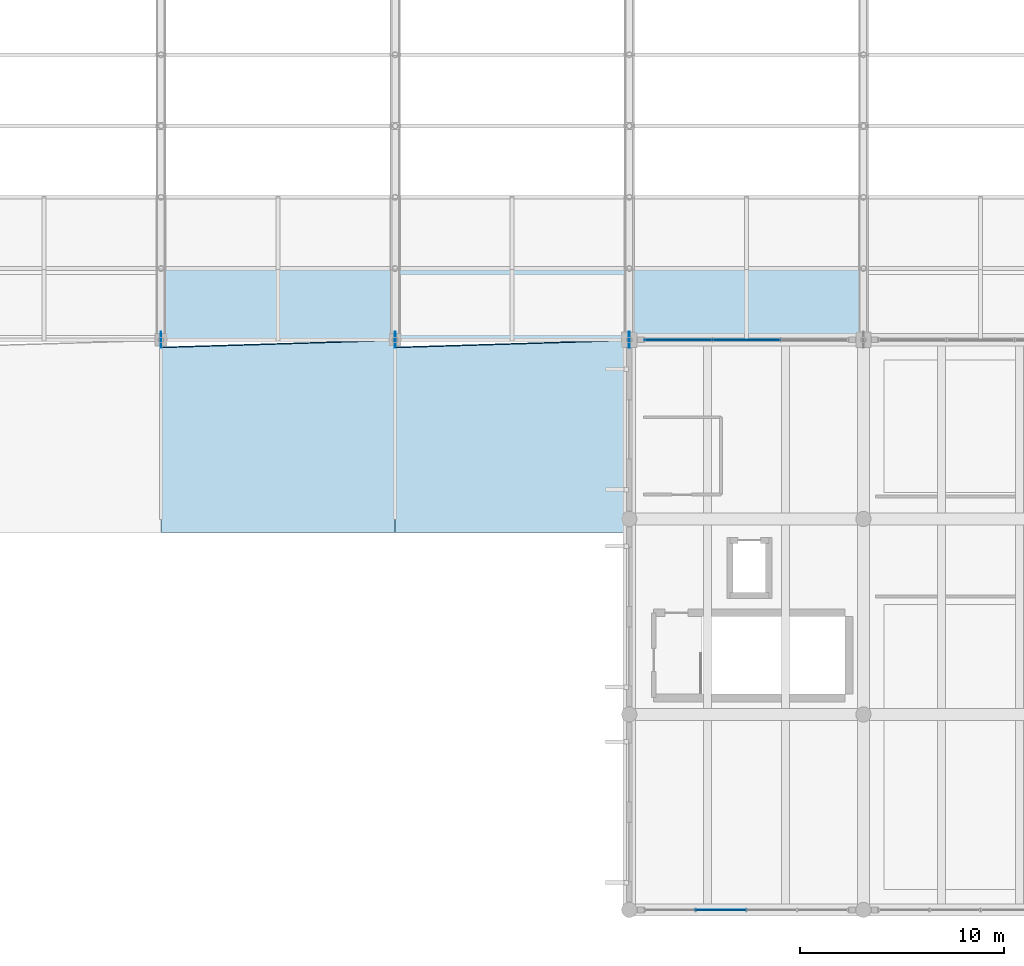
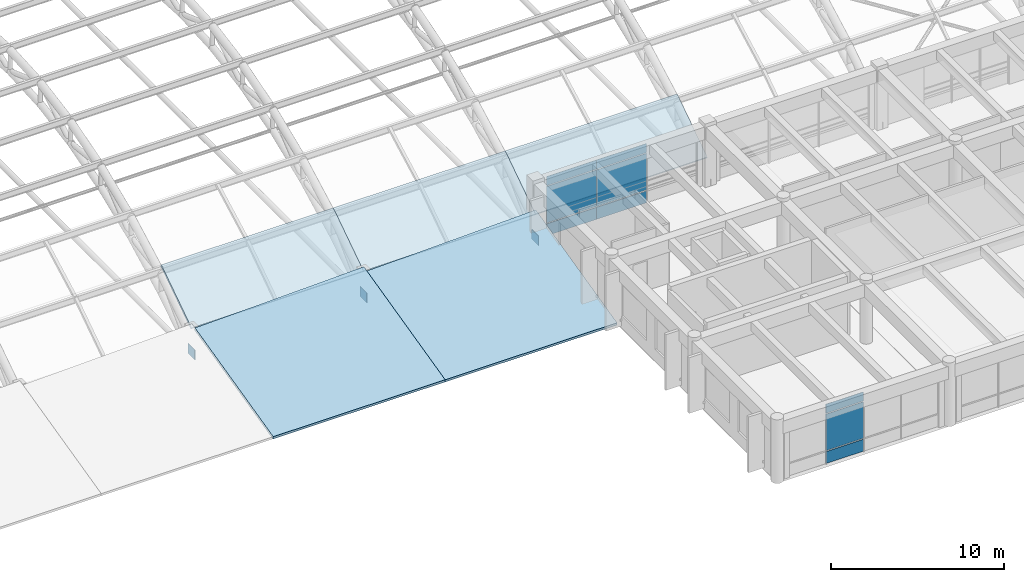
# One storey, part 123 of 154: 12 plates, 5 slabs, 2 elements without a shape of their own.
"""IFC4 building model written with IfcOpenShell, lengths in metres."""

import ifcopenshell
import ifcopenshell.guid

model = None  # the IFC model being written
_history = None  # IfcOwnerHistory: only IFC2X3 demands one
_inside = {}  # id of a spatial element -> (the spatial element, [elements in it])
_under = {}  # id of a project, library or spatial element -> (it, [spatial elements below it])
_declared = {}  # id of a project -> (the project, [libraries it declares])
_typed = {}  # id of a type object -> (the type object, [elements of that type])
_made_of = {}  # id of a material, layer set ... -> (it, [elements and type objects made of it])


def new_model(schema):
    """Start an empty IFC model of exactly this schema.

    Asked for "IFC4X3", IfcOpenShell would pick the latest addendum, in which some entities
    have other attributes; the version numbers below select the first issue.
    IFC2X3 requires an IfcOwnerHistory on every rooted entity: one is made here for all.
    """
    global model, _history
    if schema == "IFC4X3":
        model = ifcopenshell.file(schema_version=(4, 3, 0, 0))
    else:
        model = ifcopenshell.file(schema=schema)
    _inside.clear()
    _under.clear()
    _declared.clear()
    _typed.clear()
    _made_of.clear()
    _history = None
    if model.schema == "IFC2X3":
        org = make("IfcOrganization", Name="unknown")
        user = make(
            "IfcPersonAndOrganization",
            ThePerson=make("IfcPerson", FamilyName="unknown"),
            TheOrganization=org,
        )
        app = make(
            "IfcApplication",
            ApplicationDeveloper=org,
            Version="unknown",
            ApplicationFullName="unknown",
            ApplicationIdentifier="unknown",
        )
        _history = make(
            "IfcOwnerHistory",
            OwningUser=user,
            OwningApplication=app,
            ChangeAction="ADDED",
            CreationDate=0,
        )
    return model


def make(cls, **values):
    """One entity of the class cls with the attributes given. An attribute that is None is left unset."""
    return model.create_entity(
        cls, **{name: value for name, value in values.items() if value is not None}
    )


def rooted(cls, **values):
    """An entity with a GlobalId (a new one), such as an element, a storey or a relation."""
    return make(cls, GlobalId=ifcopenshell.guid.new(), OwnerHistory=_history, **values)


def si_unit(unit_type, name, prefix=None):
    """IfcSIUnit, for example si_unit("LENGTHUNIT", "METRE", prefix="MILLI")."""
    return make("IfcSIUnit", UnitType=unit_type, Prefix=prefix, Name=name)


def assignment(units):
    """IfcUnitAssignment: the units of a project."""
    return None if units is None else make("IfcUnitAssignment", Units=units)


def point(xyz):
    """IfcCartesianPoint."""
    return None if xyz is None else make("IfcCartesianPoint", Coordinates=xyz)


def direction(xyz):
    """IfcDirection."""
    return None if xyz is None else make("IfcDirection", DirectionRatios=xyz)


def frame(location, z_axis=None, x_axis=None):
    """IfcAxis2Placement3D, a coordinate frame: its origin and axes. An axis left out is left unset."""
    return make(
        "IfcAxis2Placement3D",
        Location=point(location),
        Axis=direction(z_axis),
        RefDirection=direction(x_axis),
    )


def frame_2d(location, x_axis=None):
    """IfcAxis2Placement2D, a coordinate frame in the plane: its origin and x axis."""
    return make(
        "IfcAxis2Placement2D", Location=point(location), RefDirection=direction(x_axis)
    )


def origin():
    """The frame at (0, 0, 0) with its axes left unset."""
    return frame((0.0, 0.0, 0.0))


def origin_2d():
    """The frame at (0, 0) in the plane with its x axis left unset."""
    return frame_2d((0.0, 0.0))


def place(relative_to, where):
    """IfcLocalPlacement: puts the frame where relative to a parent placement (None: the world)."""
    return make(
        "IfcLocalPlacement", PlacementRelTo=relative_to, RelativePlacement=where
    )


def context(
    kind, dimensions, precision=None, world=None, true_north=None, identifier=None
):
    """IfcGeometricRepresentationContext, for example the 3D "Model" context."""
    return make(
        "IfcGeometricRepresentationContext",
        ContextIdentifier=identifier,
        ContextType=kind,
        CoordinateSpaceDimension=dimensions,
        Precision=precision,
        WorldCoordinateSystem=world,
        TrueNorth=true_north,
    )


def subcontext(parent, identifier, kind, view, scale=None):
    """IfcGeometricRepresentationSubContext, for example "Body" below "Model"."""
    return make(
        "IfcGeometricRepresentationSubContext",
        ContextIdentifier=identifier,
        ContextType=kind,
        ParentContext=parent,
        TargetScale=scale,
        TargetView=view,
    )


def project(units=None, contexts=None):
    """IfcProject with its units and contexts."""
    return rooted(
        "IfcProject",
        Name="project",
        RepresentationContexts=contexts,
        UnitsInContext=assignment(units),
    )


def spatial(cls, under=None, at=None, **own):
    """A site, building, storey or space (cls), placed at a placement, below another one or the project."""
    s = rooted(cls, ObjectPlacement=at, **own)
    if under is not None:
        _under.setdefault(under.id(), (under, []))[1].append(s)
    return s


def polyline(points):
    """IfcPolyline through the points."""
    return make("IfcPolyline", Points=[point(p) for p in points])


def profile(cls, at=None, kind="AREA", **sizes):
    """A parametric profile (cls). Its sizes go by their IFC names, for example OverallWidth=200.0."""
    return make(cls, ProfileType=kind, Position=at, **sizes)


def rectangle(**sizes):
    """IfcRectangleProfileDef."""
    return profile("IfcRectangleProfileDef", **sizes)


def outline(outer, holes=None, kind="AREA"):
    """IfcArbitraryClosedProfileDef: a profile drawn as a closed curve; with holes, ...WithVoids."""
    if holes is None:
        return make("IfcArbitraryClosedProfileDef", ProfileType=kind, OuterCurve=outer)
    return make(
        "IfcArbitraryProfileDefWithVoids",
        ProfileType=kind,
        OuterCurve=outer,
        InnerCurves=holes,
    )


def extrude(swept, where, along, depth):
    """IfcExtrudedAreaSolid: the profile swept, set in the frame where, extruded along a direction by depth."""
    return make(
        "IfcExtrudedAreaSolid",
        SweptArea=swept,
        Position=where,
        ExtrudedDirection=direction(along),
        Depth=depth,
    )


def shape(context_of_items, identifier, shape_type, items):
    """IfcShapeRepresentation: the items that make up one representation, for example the "Body"."""
    return make(
        "IfcShapeRepresentation",
        ContextOfItems=context_of_items,
        RepresentationIdentifier=identifier,
        RepresentationType=shape_type,
        Items=items,
    )


def material(Name=None, Category=None):
    """IfcMaterial."""
    return make("IfcMaterial", Name=Name, Category=Category)


def layer(
    of_material, thickness, ventilated=None, Name=None, Category=None, Priority=None
):
    """IfcMaterialLayer: one layer of a wall or slab, of a material (None: an air gap)."""
    return make(
        "IfcMaterialLayer",
        Material=of_material,
        LayerThickness=thickness,
        IsVentilated=ventilated,
        Name=Name,
        Category=Category,
        Priority=Priority,
    )


def layer_set(layers, Name=None):
    """IfcMaterialLayerSet."""
    return make("IfcMaterialLayerSet", MaterialLayers=layers, LayerSetName=Name)


def made_of(thing, what):
    """Note that an element or type object is made of a material, layer set ...; save() writes the relation."""
    if what is not None:
        _made_of.setdefault(what.id(), (what, []))[1].append(thing)
    return thing


def type_object(cls, material=None, **own):
    """A type object (cls), such as IfcWallType, which elements share."""
    return made_of(rooted(cls, **own), material)


def element(
    cls,
    number,
    at=None,
    inside=None,
    cuts=None,
    type_object=None,
    material=None,
    context=None,
    identifier="Body",
    shape_type=None,
    held_by="IfcProductDefinitionShape",
    body=None,
    shapes=None,
    **own,
):
    """One element of the class cls, such as IfcWall. Its Tag is "e" and its number.

    at: its placement. inside: the storey or other place that contains it. cuts: it is an
    opening in that element (IfcRelVoidsElement). A single representation is given by context,
    identifier, shape_type and body (its items); several are given by shapes. held_by: the class
    of the entity that holds the representations. save() writes the other relations.
    """
    e = rooted(cls, Tag="e%d" % number, ObjectPlacement=at, **own)
    if body is not None:
        shapes = [shape(context, identifier, shape_type, body)]
    if shapes is not None:
        e.Representation = make(held_by, Representations=shapes)
    if inside is not None:
        _inside.setdefault(inside.id(), (inside, []))[1].append(e)
    if cuts is not None:
        rooted(
            "IfcRelVoidsElement", RelatingBuildingElement=cuts, RelatedOpeningElement=e
        )
    if type_object is not None:
        _typed.setdefault(type_object.id(), (type_object, []))[1].append(e)
    return made_of(e, material)


def aggregate(whole, parts):
    """IfcRelAggregates: a whole, such as a stair, and the parts it consists of."""
    return rooted("IfcRelAggregates", RelatingObject=whole, RelatedObjects=parts)


def save(model, path):
    """Write the relations noted so far, then the file.

    IfcRelAggregates (storeys below a building ...), IfcRelContainedInSpatialStructure (elements
    in a storey), IfcRelDefinesByType, IfcRelAssociatesMaterial and IfcRelDeclares: one each for
    every whole, place, type object, material and project.
    """
    for whole, parts in _under.values():
        aggregate(whole, parts)
    for where, things in _inside.values():
        rooted(
            "IfcRelContainedInSpatialStructure",
            RelatedElements=things,
            RelatingStructure=where,
        )
    for kind, things in _typed.values():
        rooted("IfcRelDefinesByType", RelatedObjects=things, RelatingType=kind)
    for what, things in _made_of.values():
        rooted("IfcRelAssociatesMaterial", RelatedObjects=things, RelatingMaterial=what)
    for by, libraries in _declared.values():
        rooted("IfcRelDeclares", RelatingContext=by, RelatedDefinitions=libraries)
    model.write(path)


model = new_model("IFC4")

# Units and contexts
model_context = context("Model", 3, precision=1e-05, world=origin(), true_north=direction((0.0, 1.0)))
body_context = subcontext(model_context, "Body", "Model", "MODEL_VIEW")
ifc_project = project(units=[si_unit("LENGTHUNIT", "METRE"), si_unit("AREAUNIT", "SQUARE_METRE"), si_unit("VOLUMEUNIT", "CUBIC_METRE"), si_unit("PLANEANGLEUNIT", "RADIAN"), si_unit("MASSUNIT", "GRAM", prefix="KILO")], contexts=[model_context])

# Site, building, storey
site_placement = place(None, origin())
site = spatial("IfcSite", under=ifc_project, at=site_placement, CompositionType="ELEMENT")
building_placement = place(site_placement, origin())
building = spatial("IfcBuilding", under=site, at=building_placement, Name="Ologun Quay Terminus", CompositionType="ELEMENT")
storey_placement = place(building_placement, frame((0.0, 0.0, 13.800048828125)))
storey = spatial("IfcBuildingStorey", under=building, at=storey_placement, Name="L03", CompositionType="ELEMENT", Elevation=13.800048828125)

# Curtain wall, plate
ifc_material_1 = material(Name="Aluminium 6063-T6", Category="aluminium")
curtain_wall_type_1 = type_object("IfcCurtainWallType", Name="South Pavilion Reading Hall Curtain Wall 10700x4150", PredefinedType="USERDEFINED", material=ifc_material_1)
curtain_wall_1_placement = place(storey_placement, origin())
curtain_wall_1 = element("IfcCurtainWall", 1, at=curtain_wall_1_placement, inside=storey, type_object=curtain_wall_type_1, Name="CW-06 Curtain Wall CW-L03-034", ObjectType="UNITISED CURTAIN WALL", PredefinedType="USERDEFINED")
ifc_material_2 = material(Name="Aluminium 6063-T6", Category="aluminium")
ifc_layer_1 = layer(ifc_material_2, 0.06005859375)
ifc_layer_set_1 = layer_set([ifc_layer_1], Name="Aluminium 6063-T6")
plate_type_1 = type_object("IfcPlateType", Name="Anodised Bronze Spandrel Panel 60", PredefinedType="CURTAIN_PANEL", material=ifc_layer_set_1)
plate_1_placement = place(storey_placement, frame((61.998779296875, 8.0, 0.02978515625), z_axis=(0.0, 0.0, 1.0), x_axis=(1.0, 0.0, 0.0)))
plate_1 = element("IfcPlate", 2, at=plate_1_placement, type_object=plate_type_1, Name="CW-L03-034 Panel B2-1", PredefinedType="CURTAIN_PANEL", context=body_context, shape_type="SweptSolid", body=[
    extrude(rectangle(XDim=2.50244140625, YDim=0.06005859375, at=origin_2d()), origin(), (0.0, 0.0, 1.0), 0.840087890625),
])

# Plates
ifc_material_3 = material(Name="Steel S355", Category="steel")
ifc_layer_2 = layer(ifc_material_3, 0.0400390625)
ifc_layer_set_2 = layer_set([ifc_layer_2], Name="Steel S355")
plate_type_2 = type_object("IfcPlateType", Name="Arch Springing Steel Gusset Plate 40", PredefinedType="SHEET", material=ifc_layer_set_2)
for number, where, z_axis, x_axis, name in (
    (3, (34.5, 36.0, -0.2001953125), (0.0, 0.0, 1.0), (0.0, 1.0, 0.0), "PL-GUS Arch Springing Gusset 4/E"),
    (4, (46.0, 36.0, -0.2001953125), (0.0, 0.0, 1.0), (0.0, 1.0, 0.0), "PL-GUS Arch Springing Gusset 5/E"),
    (5, (57.5, 36.0, -0.2001953125), (0.0, 0.0, 1.0), (0.0, 1.0, 0.0), "PL-GUS Arch Springing Gusset 6/E"),
):
    element("IfcPlate", number, at=place(storey_placement, frame(where, z_axis=z_axis, x_axis=x_axis)), inside=storey, type_object=plate_type_2, Name=name, PredefinedType="SHEET", context=body_context, shape_type="SweptSolid", body=[
        extrude(rectangle(XDim=0.800048828125, YDim=0.0400390625, at=origin_2d()), origin(), (0.0, 0.0, 1.0), 0.699951171875),
    ])

# Curtain wall, plates
ifc_material_4 = material(Name="Aluminium 6063-T6", Category="aluminium")
curtain_wall_type_2 = type_object("IfcCurtainWallType", Name="South Pavilion Clerestory Curtain Wall 10700x4050", PredefinedType="USERDEFINED", material=ifc_material_4)
curtain_wall_2_placement = place(storey_placement, origin())
curtain_wall_2 = element("IfcCurtainWall", 6, at=curtain_wall_2_placement, inside=storey, type_object=curtain_wall_type_2, Name="CW-07 Curtain Wall CW-L03-040", ObjectType="UNITISED CURTAIN WALL", PredefinedType="USERDEFINED")
ifc_material_5 = material(Name="Aluminium 6063-T6", Category="aluminium")
ifc_layer_3 = layer(ifc_material_5, 0.050048828125)
ifc_layer_set_3 = layer_set([ifc_layer_3], Name="Aluminium 6063-T6")
plate_type_3 = type_object("IfcPlateType", Name="Insulated Aluminium Shadow-Box Spandrel 50", PredefinedType="CURTAIN_PANEL", material=ifc_layer_set_3)
plate_2_placement = place(storey_placement, frame((59.913330078125, 36.0, 0.02978515625), z_axis=(0.0, 0.0, 1.0), x_axis=(1.0, 0.0, 0.0)))
plate_2 = element("IfcPlate", 7, at=plate_2_placement, type_object=plate_type_3, Name="CW-L03-040 Panel B1-1", PredefinedType="CURTAIN_PANEL", context=body_context, shape_type="SweptSolid", body=[
    extrude(rectangle(XDim=3.336669921875, YDim=0.050048828125, at=origin_2d()), origin(), (0.0, 0.0, 1.0), 0.840087890625),
])
plate_3_placement = place(storey_placement, frame((63.25, 36.0, 0.02978515625), z_axis=(0.0, 0.0, 1.0), x_axis=(1.0, 0.0, 0.0)))
plate_3 = element("IfcPlate", 8, at=plate_3_placement, type_object=plate_type_3, Name="CW-L03-040 Panel B2-1", PredefinedType="CURTAIN_PANEL", context=body_context, shape_type="SweptSolid", body=[
    extrude(rectangle(XDim=3.336669921875, YDim=0.050048828125, at=origin_2d()), origin(), (0.0, 0.0, 1.0), 0.840087890625),
])

# Slabs
ifc_material_6 = material(Name="Concrete C40/50", Category="concrete")
ifc_layer_4 = layer(ifc_material_6, 0.199951171875)
ifc_layer_set_4 = layer_set([ifc_layer_4], Name="Concrete C40/50")
slab_type_1 = type_object("IfcSlabType", Name="Pitched Overhanging Concrete Roof Slab 200", PredefinedType="ROOF", material=ifc_layer_set_4)
for number, where, z_axis, x_axis, name in (
    (9, (34.5, 26.5400390625, -0.140380859375), (9.69599e-06, -0.235309114893, 0.971920583358), (0.999999999953, 2.281555e-06, -9.423732e-06), "SL-RF SWL Forecourt Link Roof 3"),
    (10, (46.0, 26.5400390625, -0.140380859375), (9.69599e-06, -0.235309114893, 0.971920583358), (0.999999999953, 2.281555e-06, -9.423732e-06), "SL-RF SWL Forecourt Link Roof 4"),
):
    element("IfcSlab", number, at=place(storey_placement, frame(where, z_axis=z_axis, x_axis=x_axis)), inside=storey, type_object=slab_type_1, Name=name, PredefinedType="ROOF", context=body_context, shape_type="SweptSolid", body=[
        extrude(outline(polyline([(0.0, 0.0), (11.49999999945943, -4.870439446712227e-21), (11.50000000054057, 9.692042537195526), (-1.0811404935267774e-09, 9.332135518207789), (0.0, 0.0)])), origin(), (0.0, 0.0, -1.0), 0.199951171875),
    ])

# Plate
ifc_material_7 = material(Name="Glass", Category="glass")
ifc_layer_5 = layer(ifc_material_7, 0.028076171875)
ifc_layer_set_5 = layer_set([ifc_layer_5], Name="Glass")
plate_type_4 = type_object("IfcPlateType", Name="Solar-Control Double Glazed Panel 28", PredefinedType="CURTAIN_PANEL", material=ifc_layer_set_5)
plate_4_placement = place(storey_placement, frame((61.998779296875, 8.0, 0.929931640625), z_axis=(0.0, 0.0, 1.0), x_axis=(1.0, 0.0, 0.0)))
plate_4 = element("IfcPlate", 11, at=plate_4_placement, type_object=plate_type_4, Name="CW-L03-034 Panel B2-2", PredefinedType="CURTAIN_PANEL", context=body_context, shape_type="SweptSolid", body=[
    extrude(rectangle(XDim=2.50244140625, YDim=0.028076171875, at=origin_2d()), origin(), (0.0, 0.0, 1.0), 2.580078125),
])

plate_5_placement = place(storey_placement, frame((61.998779296875, 8.0, 3.56982421875), z_axis=(0.0, 0.0, 1.0), x_axis=(1.0, 0.0, 0.0)))
plate_5 = element("IfcPlate", 12, at=plate_5_placement, type_object=plate_type_4, Name="CW-L03-034 Panel B2-3", PredefinedType="CURTAIN_PANEL", context=body_context, shape_type="SweptSolid", body=[
    extrude(rectangle(XDim=2.50244140625, YDim=0.028076171875, at=origin_2d()), origin(), (0.0, 0.0, 1.0), 0.639892578125),
])

aggregate(curtain_wall_1, [plate_1, plate_4, plate_5])

plate_6_placement = place(storey_placement, frame((59.913330078125, 36.0, 0.929931640625), z_axis=(0.0, 0.0, 1.0), x_axis=(1.0, 0.0, 0.0)))
plate_6 = element("IfcPlate", 13, at=plate_6_placement, type_object=plate_type_4, Name="CW-L03-040 Panel B1-2", PredefinedType="CURTAIN_PANEL", context=body_context, shape_type="SweptSolid", body=[
    extrude(rectangle(XDim=3.336669921875, YDim=0.028076171875, at=origin_2d()), origin(), (0.0, 0.0, 1.0), 2.580078125),
])

plate_7_placement = place(storey_placement, frame((59.913330078125, 36.0, 3.56982421875), z_axis=(0.0, 0.0, 1.0), x_axis=(1.0, 0.0, 0.0)))
plate_7 = element("IfcPlate", 14, at=plate_7_placement, type_object=plate_type_4, Name="CW-L03-040 Panel B1-3", PredefinedType="CURTAIN_PANEL", context=body_context, shape_type="SweptSolid", body=[
    extrude(rectangle(XDim=3.336669921875, YDim=0.028076171875, at=origin_2d()), origin(), (0.0, 0.0, 1.0), 0.639892578125),
])

plate_8_placement = place(storey_placement, frame((63.25, 36.0, 0.929931640625), z_axis=(0.0, 0.0, 1.0), x_axis=(1.0, 0.0, 0.0)))
plate_8 = element("IfcPlate", 15, at=plate_8_placement, type_object=plate_type_4, Name="CW-L03-040 Panel B2-2", PredefinedType="CURTAIN_PANEL", context=body_context, shape_type="SweptSolid", body=[
    extrude(rectangle(XDim=3.336669921875, YDim=0.028076171875, at=origin_2d()), origin(), (0.0, 0.0, 1.0), 2.580078125),
])

plate_9_placement = place(storey_placement, frame((63.25, 36.0, 3.56982421875), z_axis=(0.0, 0.0, 1.0), x_axis=(1.0, 0.0, 0.0)))
plate_9 = element("IfcPlate", 16, at=plate_9_placement, type_object=plate_type_4, Name="CW-L03-040 Panel B2-3", PredefinedType="CURTAIN_PANEL", context=body_context, shape_type="SweptSolid", body=[
    extrude(rectangle(XDim=3.336669921875, YDim=0.028076171875, at=origin_2d()), origin(), (0.0, 0.0, 1.0), 0.639892578125),
])

aggregate(curtain_wall_2, [plate_2, plate_6, plate_7, plate_3, plate_8, plate_9])

# Slabs
ifc_material_8 = material(Name="Steel S355", Category="steel")
ifc_layer_6 = layer(ifc_material_8, 0.159912109375)
ifc_layer_set_6 = layer_set([ifc_layer_6], Name="Steel S355")
slab_type_2 = type_object("IfcSlabType", Name="Train Shed Barrel Roof Facet Slab 160", PredefinedType="ROOF", material=ifc_layer_set_6)
for number, where, z_axis, x_axis, name in (
    (17, (34.5, 36.0, 1.809814453125), (0.0, -0.55717065423, 0.830398014247), (1.0, 0.0, 0.0), "SL-SHD Train Shed Eave Roof Facet B4-P1"),
    (18, (46.0, 36.0, 1.809814453125), (0.0, -0.55717065423, 0.830398014247), (1.0, 0.0, 0.0), "SL-SHD Train Shed Eave Roof Facet B5-P1"),
    (19, (57.5, 36.0, 1.809814453125), (0.0, -0.55717065423, 0.830398014247), (1.0, 0.0, 0.0), "SL-SHD Train Shed Eave Roof Facet B6-P1"),
):
    element("IfcSlab", number, at=place(storey_placement, frame(where, z_axis=z_axis, x_axis=x_axis)), inside=storey, type_object=slab_type_2, Name=name, PredefinedType="ROOF", context=body_context, shape_type="SweptSolid", body=[
        extrude(outline(polyline([(0.0, 0.0), (11.5, 0.0), (11.5, 4.214846302558472), (0.0, 4.214846302558472), (0.0, 0.0)])), origin(), (0.0, 0.0, -1.0), 0.159912109375),
    ])

save(model, "model.ifc")
